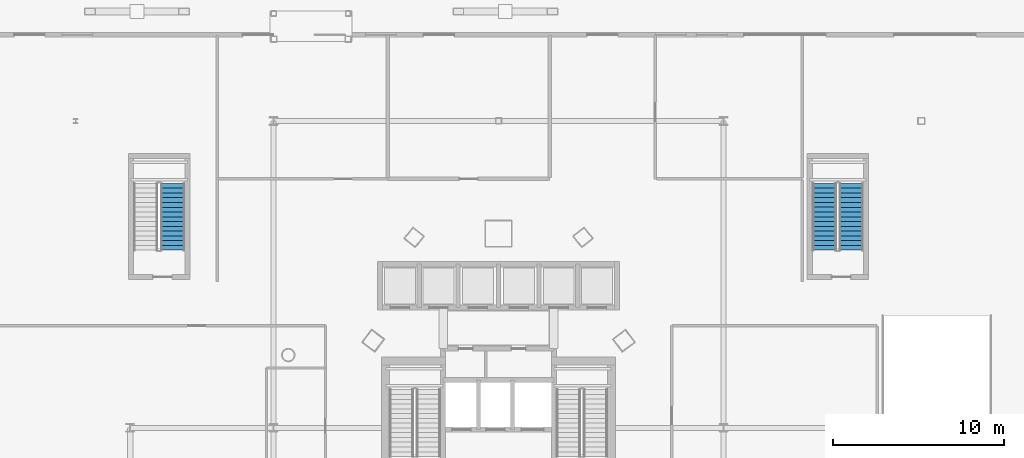
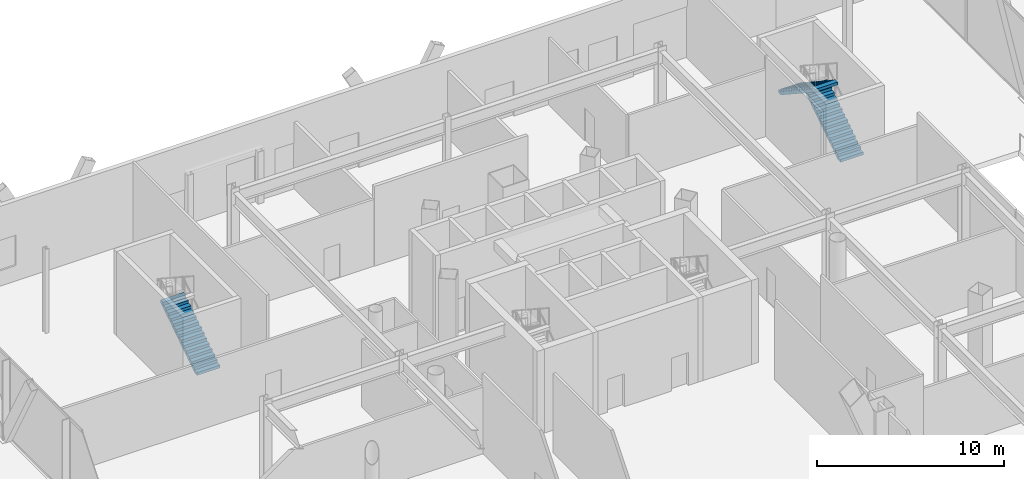
# One storey, part 30 of 38: 3 stair flights, 2 elements without a shape of their own.
"""IFC4 building model written with IfcOpenShell, lengths in metres."""

from ifc_helpers import new_model, si_unit, direction, frame, origin, place, context, subcontext, project, spatial, polyline, outline, extrude, material, type_object, element, aggregate, save


model = new_model("IFC4")

# Units and contexts
model_context = context("Model", 3, precision=1e-05, world=origin(), true_north=direction((0.0, 1.0)))
body_context = subcontext(model_context, "Body", "Model", "MODEL_VIEW")
ifc_project = project(units=[si_unit("LENGTHUNIT", "METRE"), si_unit("AREAUNIT", "SQUARE_METRE"), si_unit("VOLUMEUNIT", "CUBIC_METRE"), si_unit("PLANEANGLEUNIT", "RADIAN"), si_unit("MASSUNIT", "GRAM", prefix="KILO")], contexts=[model_context])

# Site, building, storey
site_placement = place(None, origin())
site = spatial("IfcSite", under=ifc_project, at=site_placement, CompositionType="ELEMENT")
building_placement = place(site_placement, origin())
building = spatial("IfcBuilding", under=site, at=building_placement, Name="Orvanel Arch Residences", CompositionType="ELEMENT")
storey_placement = place(building_placement, origin())
storey = spatial("IfcBuildingStorey", under=building, at=storey_placement, Name="L00", CompositionType="ELEMENT", Elevation=0.0)

# Stair, stair flight
ifc_material = material(Name="Precast concrete N50 (50 MPa)", Category="concrete")
stair_type = type_object("IfcStairType", Name="STR-DOG-184", PredefinedType="USERDEFINED", material=ifc_material)
stair_1_placement = place(storey_placement, origin())
stair_1 = element("IfcStair", 1, at=stair_1_placement, inside=storey, type_object=stair_type, Name="L00 West Podium Fire-Isolated Exit Stair 3", ObjectType="TWO_RETURN_STAIR", PredefinedType="USERDEFINED")
stair_flight_type_1 = type_object("IfcStairFlightType", Name="SFL-C3-184", PredefinedType="STRAIGHT", material=ifc_material)
stair_flight_1_placement = place(storey_placement, frame((13.889892578125, 40.419921875, 0.0), z_axis=(0.0, 0.0, 1.0), x_axis=(0.0, 1.0, 0.0)))
stair_flight_1 = element("IfcStairFlight", 2, at=stair_flight_1_placement, type_object=stair_flight_type_1, Name="ST-3 flight 1", NumberOfRisers=15, NumberOfTreads=14, PredefinedType="STRAIGHT", RiserHeight=0.183333333, TreadLength=0.28, context=body_context, shape_type="SweptSolid", body=[
    extrude(outline(polyline([(0.0, 0.0), (0.0, 0.183349609375), (0.280029296875, 0.183349609375), (0.280029296875, 0.36669921875), (0.56005859375, 0.36669921875), (0.56005859375, 0.550048828125), (0.840087890625, 0.550048828125), (0.840087890625, 0.7333984375), (1.1201171875, 0.7333984375), (1.1201171875, 0.916748046875), (1.39990234375, 0.916748046875), (1.39990234375, 1.10009765625), (1.679931640625, 1.10009765625), (1.679931640625, 1.283447265625), (1.9599609375, 1.283447265625), (1.9599609375, 1.466552734375), (2.239990234375, 1.466552734375), (2.239990234375, 1.64990234375), (2.52001953125, 1.64990234375), (2.52001953125, 1.833251953125), (2.800048828125, 1.833251953125), (2.800048828125, 2.0166015625), (3.080078125, 2.0166015625), (3.080078125, 2.199951171875), (3.360107421875, 2.199951171875), (3.360107421875, 2.38330078125), (3.639892578125, 2.38330078125), (3.639892578125, 2.566650390625), (3.919921875, 2.566650390625), (3.919921875, 2.75), (3.919921875, 2.387451171875), (0.273681640625, 0.0), (0.0, 0.0)])), frame((0.0, 0.7099609375, 0.0), z_axis=(0.0, -1.0, 0.0), x_axis=(1.0, 0.0, 0.0)), (0.0, 0.0, 1.0), 1.419921875),
])
aggregate(stair_1, [stair_flight_1])

# Stair, stair flights
stair_2_placement = place(storey_placement, origin())
stair_2 = element("IfcStair", 3, at=stair_2_placement, inside=storey, type_object=stair_type, Name="L00 East Podium Fire-Isolated Exit Stair 4", ObjectType="TWO_RETURN_STAIR", PredefinedType="USERDEFINED")
stair_flight_type_2 = type_object("IfcStairFlightType", Name="SFL-C4-184", PredefinedType="STRAIGHT", material=ifc_material)
stair_flight_2_placement = place(storey_placement, frame((53.68994140625, 40.419921875, 0.0), z_axis=(0.0, 0.0, 1.0), x_axis=(0.0, 1.0, 0.0)))
stair_flight_2 = element("IfcStairFlight", 4, at=stair_flight_2_placement, type_object=stair_flight_type_2, Name="ST-4 flight 1", NumberOfRisers=15, NumberOfTreads=14, PredefinedType="STRAIGHT", RiserHeight=0.183333333, TreadLength=0.28, context=body_context, shape_type="SweptSolid", body=[
    extrude(outline(polyline([(0.0, 0.0), (0.0, 0.183349609375), (0.280029296875, 0.183349609375), (0.280029296875, 0.36669921875), (0.56005859375, 0.36669921875), (0.56005859375, 0.550048828125), (0.840087890625, 0.550048828125), (0.840087890625, 0.7333984375), (1.1201171875, 0.7333984375), (1.1201171875, 0.916748046875), (1.39990234375, 0.916748046875), (1.39990234375, 1.10009765625), (1.679931640625, 1.10009765625), (1.679931640625, 1.283447265625), (1.9599609375, 1.283447265625), (1.9599609375, 1.466552734375), (2.239990234375, 1.466552734375), (2.239990234375, 1.64990234375), (2.52001953125, 1.64990234375), (2.52001953125, 1.833251953125), (2.800048828125, 1.833251953125), (2.800048828125, 2.0166015625), (3.080078125, 2.0166015625), (3.080078125, 2.199951171875), (3.360107421875, 2.199951171875), (3.360107421875, 2.38330078125), (3.639892578125, 2.38330078125), (3.639892578125, 2.566650390625), (3.919921875, 2.566650390625), (3.919921875, 2.75), (3.919921875, 2.387451171875), (0.273681640625, 0.0), (0.0, 0.0)])), frame((0.0, 0.7099609375, 0.0), z_axis=(0.0, -1.0, 0.0), x_axis=(1.0, 0.0, 0.0)), (0.0, 0.0, 1.0), 1.419921875),
])
stair_flight_3_placement = place(storey_placement, frame((52.110107421875, 44.340087890625, 2.75), z_axis=(0.0, 0.0, 1.0), x_axis=(0.0, -1.0, 0.0)))
stair_flight_3 = element("IfcStairFlight", 5, at=stair_flight_3_placement, type_object=stair_flight_type_2, Name="ST-4 flight 2", NumberOfRisers=15, NumberOfTreads=14, PredefinedType="STRAIGHT", RiserHeight=0.183333333, TreadLength=0.28, context=body_context, shape_type="SweptSolid", body=[
    extrude(outline(polyline([(0.0, 0.0), (0.0, 0.183349609375), (0.280029296875, 0.183349609375), (0.280029296875, 0.36669921875), (0.56005859375, 0.36669921875), (0.56005859375, 0.550048828125), (0.840087890625, 0.550048828125), (0.840087890625, 0.7333984375), (1.1201171875, 0.7333984375), (1.1201171875, 0.916748046875), (1.39990234375, 0.916748046875), (1.39990234375, 1.10009765625), (1.679931640625, 1.10009765625), (1.679931640625, 1.283447265625), (1.9599609375, 1.283447265625), (1.9599609375, 1.466552734375), (2.239990234375, 1.466552734375), (2.239990234375, 1.64990234375), (2.52001953125, 1.64990234375), (2.52001953125, 1.833251953125), (2.800048828125, 1.833251953125), (2.800048828125, 2.0166015625), (3.080078125, 2.0166015625), (3.080078125, 2.199951171875), (3.360107421875, 2.199951171875), (3.360107421875, 2.38330078125), (3.639892578125, 2.38330078125), (3.639892578125, 2.566650390625), (3.919921875, 2.566650390625), (3.919921875, 2.75), (3.919921875, 2.387451171875), (0.273681640625, 0.0), (0.0, 0.0)])), frame((0.0, 0.7099609375, 0.0), z_axis=(0.0, -1.0, 0.0), x_axis=(1.0, 0.0, 0.0)), (0.0, 0.0, 1.0), 1.419921875),
])
aggregate(stair_2, [stair_flight_2, stair_flight_3])

save(model, "model.ifc")
